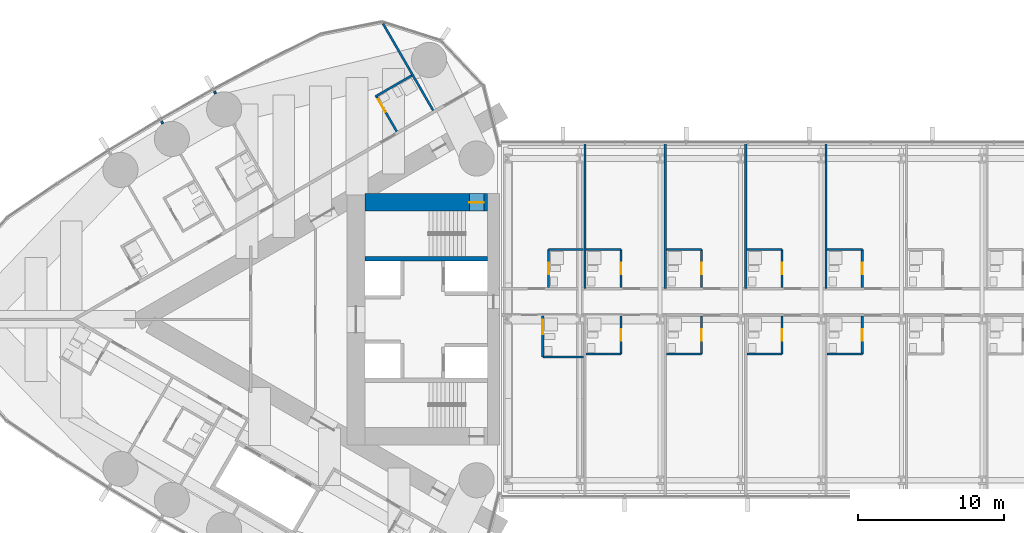
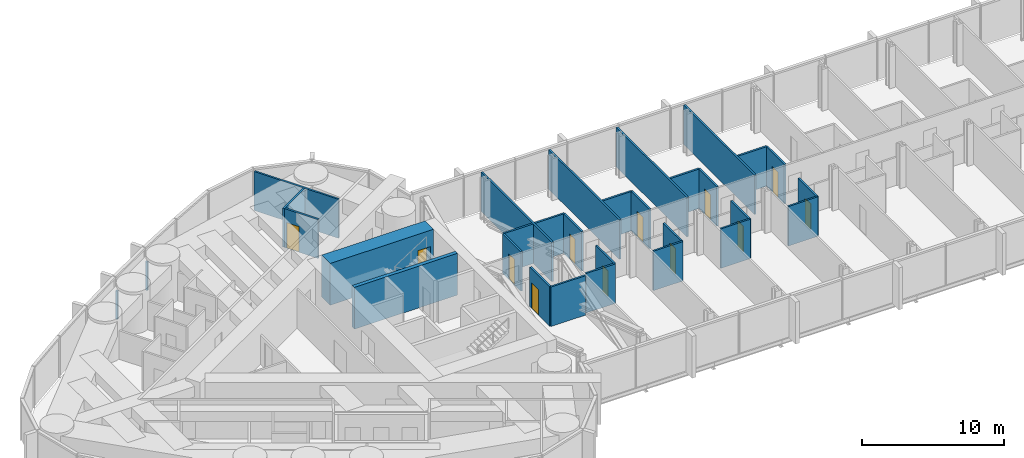
# One storey, part 16 of 23: 31 walls, 12 doors, 12 openings.
"""IFC4 building model written with IfcOpenShell, lengths in metres."""

from ifc_helpers import new_model, si_unit, direction, frame, frame_2d, origin, place, context, subcontext, project, spatial, rectangle, extrude, material, layer, layer_set, type_object, element, fill, save


model = new_model("IFC4")

# Units and contexts
model_context = context("Model", 3, precision=1e-05, world=origin(), true_north=direction((0.0, 1.0)))
body_context = subcontext(model_context, "Body", "Model", "MODEL_VIEW")
ifc_project = project(units=[si_unit("LENGTHUNIT", "METRE"), si_unit("AREAUNIT", "SQUARE_METRE"), si_unit("VOLUMEUNIT", "CUBIC_METRE"), si_unit("PLANEANGLEUNIT", "RADIAN"), si_unit("MASSUNIT", "GRAM", prefix="KILO")], contexts=[model_context])

# Site, building, storey
site_placement = place(None, origin())
site = spatial("IfcSite", under=ifc_project, at=site_placement, CompositionType="ELEMENT")
building_placement = place(site_placement, origin())
building = spatial("IfcBuilding", under=site, at=building_placement, Name="Lancet Gate Hotel", CompositionType="ELEMENT")
storey_placement = place(building_placement, frame((0.0, 0.0, 222.5)))
storey = spatial("IfcBuildingStorey", under=building, at=storey_placement, Name="L59", CompositionType="ELEMENT", Elevation=222.5)

# Wall
ifc_material_1 = material(Name="Moisture resistant board partition")
ifc_layer_1 = layer(ifc_material_1, 0.14990234375)
ifc_layer_set_1 = layer_set([ifc_layer_1], Name="Bathroom wall 150")
wall_type_1 = type_object("IfcWallType", Name="Bathroom wall 150", PredefinedType="PARTITIONING", material=ifc_layer_set_1)
wall_1_placement = place(storey_placement, frame((-33.486572265625, 16.6748046875, 0.0), z_axis=(0.0, 0.0, 1.0), x_axis=(-0.866039941686, -0.499974818771, 0.0)))
element("IfcWall", 1, at=wall_1_placement, inside=storey, type_object=wall_type_1, Name="T1 bathroom wall 150 L59", PredefinedType="PARTITIONING", context=body_context, shape_type="SweptSolid", body=[
    extrude(rectangle(XDim=2.875244140625, YDim=0.14990234375, at=frame_2d((1.4375, 0.0))), origin(), (0.0, 0.0, 1.0), 3.35009765625),
])

# Wall, opening, door
wall_2_placement = place(storey_placement, frame((-34.511474609375, 12.849853515625, 0.0), z_axis=(0.0, 0.0, 1.0), x_axis=(-0.500011755427, 0.866018616679, 0.0)))
wall_2 = element("IfcWall", 2, at=wall_2_placement, inside=storey, type_object=wall_type_1, Name="T1 bathroom wall 150 L59", PredefinedType="PARTITIONING", context=body_context, shape_type="SweptSolid", body=[
    extrude(rectangle(XDim=2.80029296875, YDim=0.14990234375, at=frame_2d((1.400146484375, 0.0))), origin(), (0.0, 0.0, 1.0), 3.35009765625),
])
opening_1_placement = place(wall_2_placement, frame((1.550048828125, 0.0, 0.0)))
opening_1 = element("IfcOpeningElement", 3, at=opening_1_placement, cuts=wall_2, Name="Opening 5902-B", PredefinedType="OPENING", context=body_context, shape_type="SweptSolid", body=[
    extrude(rectangle(XDim=1.0, YDim=2.199951171875, at=frame_2d((0.5, 1.10009765625))), frame((0.0, 0.0849609375, 0.0), z_axis=(0.0, -1.0, 0.0), x_axis=(1.0, 0.0, 0.0)), (0.0, 0.0, 1.0), 0.169921875),
])
ifc_material_2 = material(Name="Timber door set", Category="wood")
door_type_1 = type_object("IfcDoorType", Name="Accessible en-suite door 1000", OperationType="SINGLE_SWING_RIGHT", PredefinedType="DOOR", material=ifc_material_2)
door_1_placement = place(opening_1_placement, origin())
door_1 = element("IfcDoor", 4, at=door_1_placement, inside=storey, type_object=door_type_1, Name="5902-B", OperationType="SINGLE_SWING_RIGHT", OverallHeight=2.199951171875, OverallWidth=1.0, PredefinedType="DOOR", context=body_context, shape_type="SweptSolid", body=[
    extrude(rectangle(XDim=1.0, YDim=2.199951171875, at=frame_2d((0.5, 1.10009765625))), frame((0.0, 0.02490234375, 0.0), z_axis=(0.0, -1.0, 0.0), x_axis=(1.0, 0.0, 0.0)), (0.0, 0.0, 1.0), 0.050048828125),
])
fill(opening_1, door_1)

# Wall
wall_3_placement = place(storey_placement, frame((-24.52490234375, -2.574951171875, 0.0), z_axis=(0.0, 0.0, 1.0), x_axis=(1.0, 0.0, 0.0)))
element("IfcWall", 5, at=wall_3_placement, inside=storey, type_object=wall_type_1, Name="Bridge block bathroom wall 150 L59", PredefinedType="PARTITIONING", context=body_context, shape_type="SweptSolid", body=[
    extrude(rectangle(XDim=2.7998046875, YDim=0.14990234375, at=frame_2d((1.39990234375, 0.0))), origin(), (0.0, 0.0, 1.0), 3.39990234375),
])

# Wall, opening, door
wall_4_placement = place(storey_placement, frame((-24.52490234375, -2.574951171875, 0.0), z_axis=(0.0, 0.0, 1.0), x_axis=(0.0, 1.0, 0.0)))
wall_4 = element("IfcWall", 6, at=wall_4_placement, inside=storey, type_object=wall_type_1, Name="Bridge block bathroom wall 150 L59", PredefinedType="PARTITIONING", context=body_context, shape_type="SweptSolid", body=[
    extrude(rectangle(XDim=2.800048828125, YDim=0.14990234375, at=frame_2d((1.39990234375, 0.0))), origin(), (0.0, 0.0, 1.0), 3.39990234375),
])
opening_2_placement = place(wall_4_placement, frame((1.550048828125, 0.0, 0.0)))
opening_2 = element("IfcOpeningElement", 7, at=opening_2_placement, cuts=wall_4, Name="Opening B5901-B", PredefinedType="OPENING", context=body_context, shape_type="SweptSolid", body=[
    extrude(rectangle(XDim=1.0, YDim=2.199951171875, at=frame_2d((0.5, 1.10009765625))), frame((0.0, 0.0849609375, 0.0), z_axis=(0.0, -1.0, 0.0), x_axis=(1.0, 0.0, 0.0)), (0.0, 0.0, 1.0), 0.169921875),
])
door_2_placement = place(opening_2_placement, origin())
door_2 = element("IfcDoor", 8, at=door_2_placement, inside=storey, type_object=door_type_1, Name="B5901-B", OperationType="SINGLE_SWING_RIGHT", OverallHeight=2.199951171875, OverallWidth=1.0, PredefinedType="DOOR", context=body_context, shape_type="SweptSolid", body=[
    extrude(rectangle(XDim=1.0, YDim=2.199951171875, at=frame_2d((0.5, 1.10009765625))), frame((0.0, 0.02490234375, 0.0), z_axis=(0.0, -1.0, 0.0), x_axis=(1.0, 0.0, 0.0)), (0.0, 0.0, 1.0), 0.050048828125),
])
fill(opening_2, door_2)

# Wall
wall_5_placement = place(storey_placement, frame((-21.574951171875, -2.375, 0.0), z_axis=(0.0, 0.0, 1.0), x_axis=(1.0, 0.0, 0.0)))
element("IfcWall", 9, at=wall_5_placement, inside=storey, type_object=wall_type_1, Name="Bridge block bathroom wall 150 L59", PredefinedType="PARTITIONING", context=body_context, shape_type="SweptSolid", body=[
    extrude(rectangle(XDim=2.39990234375, YDim=0.14990234375, at=frame_2d((1.199951171875, 0.0))), origin(), (0.0, 0.0, 1.0), 3.39990234375),
])

# Wall, opening, door
wall_6_placement = place(storey_placement, frame((-19.175048828125, -2.375, 0.0), z_axis=(0.0, 0.0, 1.0), x_axis=(0.0, 1.0, 0.0)))
wall_6 = element("IfcWall", 10, at=wall_6_placement, inside=storey, type_object=wall_type_1, Name="Bridge block bathroom wall 150 L59", PredefinedType="PARTITIONING", context=body_context, shape_type="SweptSolid", body=[
    extrude(rectangle(XDim=2.60009765625, YDim=0.14990234375, at=frame_2d((1.300048828125, 0.0))), origin(), (0.0, 0.0, 1.0), 3.39990234375),
])
opening_3_placement = place(wall_6_placement, frame((0.89990234375, 0.0, 0.0)))
opening_3 = element("IfcOpeningElement", 11, at=opening_3_placement, cuts=wall_6, Name="Opening B5902-B", PredefinedType="OPENING", context=body_context, shape_type="SweptSolid", body=[
    extrude(rectangle(XDim=0.800048828125, YDim=2.199951171875, at=frame_2d((0.39990234375, 1.10009765625))), frame((0.0, 0.0849609375, 0.0), z_axis=(0.0, -1.0, 0.0), x_axis=(1.0, 0.0, 0.0)), (0.0, 0.0, 1.0), 0.169921875),
])
ifc_material_3 = material(Name="Timber door set", Category="wood")
door_type_2 = type_object("IfcDoorType", Name="Bathroom door 800", OperationType="SINGLE_SWING_RIGHT", PredefinedType="DOOR", material=ifc_material_3)
door_3_placement = place(opening_3_placement, origin())
door_3 = element("IfcDoor", 12, at=door_3_placement, inside=storey, type_object=door_type_2, Name="B5902-B", OperationType="SINGLE_SWING_RIGHT", OverallHeight=2.199951171875, OverallWidth=0.800048828125, PredefinedType="DOOR", context=body_context, shape_type="SweptSolid", body=[
    extrude(rectangle(XDim=0.800048828125, YDim=2.199951171875, at=frame_2d((0.39990234375, 1.10009765625))), frame((0.0, 0.02490234375, 0.0), z_axis=(0.0, -1.0, 0.0), x_axis=(1.0, 0.0, 0.0)), (0.0, 0.0, 1.0), 0.050048828125),
])
fill(opening_3, door_3)

# Wall
wall_7_placement = place(storey_placement, frame((-16.074951171875, -2.375, 0.0), z_axis=(0.0, 0.0, 1.0), x_axis=(1.0, 0.0, 0.0)))
element("IfcWall", 13, at=wall_7_placement, inside=storey, type_object=wall_type_1, Name="Bridge block bathroom wall 150 L59", PredefinedType="PARTITIONING", context=body_context, shape_type="SweptSolid", body=[
    extrude(rectangle(XDim=2.39990234375, YDim=0.14990234375, at=frame_2d((1.199951171875, 0.0))), origin(), (0.0, 0.0, 1.0), 3.39990234375),
])

# Wall, opening, door
wall_8_placement = place(storey_placement, frame((-13.675048828125, -2.375, 0.0), z_axis=(0.0, 0.0, 1.0), x_axis=(0.0, 1.0, 0.0)))
wall_8 = element("IfcWall", 14, at=wall_8_placement, inside=storey, type_object=wall_type_1, Name="Bridge block bathroom wall 150 L59", PredefinedType="PARTITIONING", context=body_context, shape_type="SweptSolid", body=[
    extrude(rectangle(XDim=2.60009765625, YDim=0.14990234375, at=frame_2d((1.300048828125, 0.0))), origin(), (0.0, 0.0, 1.0), 3.39990234375),
])
opening_4_placement = place(wall_8_placement, frame((0.89990234375, 0.0, 0.0)))
opening_4 = element("IfcOpeningElement", 15, at=opening_4_placement, cuts=wall_8, Name="Opening B5903-B", PredefinedType="OPENING", context=body_context, shape_type="SweptSolid", body=[
    extrude(rectangle(XDim=0.800048828125, YDim=2.199951171875, at=frame_2d((0.39990234375, 1.10009765625))), frame((0.0, 0.0849609375, 0.0), z_axis=(0.0, -1.0, 0.0), x_axis=(1.0, 0.0, 0.0)), (0.0, 0.0, 1.0), 0.169921875),
])
door_4_placement = place(opening_4_placement, origin())
door_4 = element("IfcDoor", 16, at=door_4_placement, inside=storey, type_object=door_type_2, Name="B5903-B", OperationType="SINGLE_SWING_RIGHT", OverallHeight=2.199951171875, OverallWidth=0.800048828125, PredefinedType="DOOR", context=body_context, shape_type="SweptSolid", body=[
    extrude(rectangle(XDim=0.800048828125, YDim=2.199951171875, at=frame_2d((0.39990234375, 1.10009765625))), frame((0.0, 0.02490234375, 0.0), z_axis=(0.0, -1.0, 0.0), x_axis=(1.0, 0.0, 0.0)), (0.0, 0.0, 1.0), 0.050048828125),
])
fill(opening_4, door_4)

# Wall
wall_9_placement = place(storey_placement, frame((-10.574951171875, -2.375, 0.0), z_axis=(0.0, 0.0, 1.0), x_axis=(1.0, 0.0, 0.0)))
element("IfcWall", 17, at=wall_9_placement, inside=storey, type_object=wall_type_1, Name="Bridge block bathroom wall 150 L59", PredefinedType="PARTITIONING", context=body_context, shape_type="SweptSolid", body=[
    extrude(rectangle(XDim=2.39990234375, YDim=0.14990234375, at=frame_2d((1.199951171875, 0.0))), origin(), (0.0, 0.0, 1.0), 3.39990234375),
])

# Wall, opening, door
wall_10_placement = place(storey_placement, frame((-8.175048828125, -2.375, 0.0), z_axis=(0.0, 0.0, 1.0), x_axis=(0.0, 1.0, 0.0)))
wall_10 = element("IfcWall", 18, at=wall_10_placement, inside=storey, type_object=wall_type_1, Name="Bridge block bathroom wall 150 L59", PredefinedType="PARTITIONING", context=body_context, shape_type="SweptSolid", body=[
    extrude(rectangle(XDim=2.60009765625, YDim=0.14990234375, at=frame_2d((1.300048828125, 0.0))), origin(), (0.0, 0.0, 1.0), 3.39990234375),
])
opening_5_placement = place(wall_10_placement, frame((0.89990234375, 0.0, 0.0)))
opening_5 = element("IfcOpeningElement", 19, at=opening_5_placement, cuts=wall_10, Name="Opening B5904-B", PredefinedType="OPENING", context=body_context, shape_type="SweptSolid", body=[
    extrude(rectangle(XDim=0.800048828125, YDim=2.199951171875, at=frame_2d((0.39990234375, 1.10009765625))), frame((0.0, 0.0849609375, 0.0), z_axis=(0.0, -1.0, 0.0), x_axis=(1.0, 0.0, 0.0)), (0.0, 0.0, 1.0), 0.169921875),
])
door_5_placement = place(opening_5_placement, origin())
door_5 = element("IfcDoor", 20, at=door_5_placement, inside=storey, type_object=door_type_2, Name="B5904-B", OperationType="SINGLE_SWING_RIGHT", OverallHeight=2.199951171875, OverallWidth=0.800048828125, PredefinedType="DOOR", context=body_context, shape_type="SweptSolid", body=[
    extrude(rectangle(XDim=0.800048828125, YDim=2.199951171875, at=frame_2d((0.39990234375, 1.10009765625))), frame((0.0, 0.02490234375, 0.0), z_axis=(0.0, -1.0, 0.0), x_axis=(1.0, 0.0, 0.0)), (0.0, 0.0, 1.0), 0.050048828125),
])
fill(opening_5, door_5)

# Wall
wall_11_placement = place(storey_placement, frame((-5.074951171875, -2.375, 0.0), z_axis=(0.0, 0.0, 1.0), x_axis=(1.0, 0.0, 0.0)))
element("IfcWall", 21, at=wall_11_placement, inside=storey, type_object=wall_type_1, Name="Bridge block bathroom wall 150 L59", PredefinedType="PARTITIONING", context=body_context, shape_type="SweptSolid", body=[
    extrude(rectangle(XDim=2.39990234375, YDim=0.14990234375, at=frame_2d((1.199951171875, 0.0))), origin(), (0.0, 0.0, 1.0), 3.39990234375),
])

# Wall, opening, door
wall_12_placement = place(storey_placement, frame((-2.675048828125, -2.375, 0.0), z_axis=(0.0, 0.0, 1.0), x_axis=(0.0, 1.0, 0.0)))
wall_12 = element("IfcWall", 22, at=wall_12_placement, inside=storey, type_object=wall_type_1, Name="Bridge block bathroom wall 150 L59", PredefinedType="PARTITIONING", context=body_context, shape_type="SweptSolid", body=[
    extrude(rectangle(XDim=2.60009765625, YDim=0.14990234375, at=frame_2d((1.300048828125, 0.0))), origin(), (0.0, 0.0, 1.0), 3.39990234375),
])
opening_6_placement = place(wall_12_placement, frame((0.89990234375, 0.0, 0.0)))
opening_6 = element("IfcOpeningElement", 23, at=opening_6_placement, cuts=wall_12, Name="Opening B5905-B", PredefinedType="OPENING", context=body_context, shape_type="SweptSolid", body=[
    extrude(rectangle(XDim=0.800048828125, YDim=2.199951171875, at=frame_2d((0.39990234375, 1.10009765625))), frame((0.0, 0.0849609375, 0.0), z_axis=(0.0, -1.0, 0.0), x_axis=(1.0, 0.0, 0.0)), (0.0, 0.0, 1.0), 0.169921875),
])
door_6_placement = place(opening_6_placement, origin())
door_6 = element("IfcDoor", 24, at=door_6_placement, inside=storey, type_object=door_type_2, Name="B5905-B", OperationType="SINGLE_SWING_RIGHT", OverallHeight=2.199951171875, OverallWidth=0.800048828125, PredefinedType="DOOR", context=body_context, shape_type="SweptSolid", body=[
    extrude(rectangle(XDim=0.800048828125, YDim=2.199951171875, at=frame_2d((0.39990234375, 1.10009765625))), frame((0.0, 0.02490234375, 0.0), z_axis=(0.0, -1.0, 0.0), x_axis=(1.0, 0.0, 0.0)), (0.0, 0.0, 1.0), 0.050048828125),
])
fill(opening_6, door_6)

# Wall
wall_13_placement = place(storey_placement, frame((-24.125, 4.77490234375, 0.0), z_axis=(0.0, 0.0, 1.0), x_axis=(1.0, 0.0, 0.0)))
element("IfcWall", 25, at=wall_13_placement, inside=storey, type_object=wall_type_1, Name="Bridge block bathroom wall 150 L59", PredefinedType="PARTITIONING", context=body_context, shape_type="SweptSolid", body=[
    extrude(rectangle(XDim=2.39990234375, YDim=0.14990234375, at=frame_2d((1.199951171875, 0.0))), origin(), (0.0, 0.0, 1.0), 3.39990234375),
])

# Wall, opening, door
wall_14_placement = place(storey_placement, frame((-24.125, 2.175048828125, 0.0), z_axis=(0.0, 0.0, 1.0), x_axis=(0.0, 1.0, 0.0)))
wall_14 = element("IfcWall", 26, at=wall_14_placement, inside=storey, type_object=wall_type_1, Name="Bridge block bathroom wall 150 L59", PredefinedType="PARTITIONING", context=body_context, shape_type="SweptSolid", body=[
    extrude(rectangle(XDim=2.599853515625, YDim=0.14990234375, at=frame_2d((1.2998046875, 0.0))), origin(), (0.0, 0.0, 1.0), 3.39990234375),
])
opening_7_placement = place(wall_14_placement, frame((0.89990234375, 0.0, 0.0)))
opening_7 = element("IfcOpeningElement", 27, at=opening_7_placement, cuts=wall_14, Name="Opening B5911-B", PredefinedType="OPENING", context=body_context, shape_type="SweptSolid", body=[
    extrude(rectangle(XDim=0.800048828125, YDim=2.199951171875, at=frame_2d((0.39990234375, 1.10009765625))), frame((0.0, 0.0849609375, 0.0), z_axis=(0.0, -1.0, 0.0), x_axis=(1.0, 0.0, 0.0)), (0.0, 0.0, 1.0), 0.169921875),
])
door_7_placement = place(opening_7_placement, origin())
door_7 = element("IfcDoor", 28, at=door_7_placement, inside=storey, type_object=door_type_2, Name="B5911-B", OperationType="SINGLE_SWING_RIGHT", OverallHeight=2.199951171875, OverallWidth=0.800048828125, PredefinedType="DOOR", context=body_context, shape_type="SweptSolid", body=[
    extrude(rectangle(XDim=0.800048828125, YDim=2.199951171875, at=frame_2d((0.39990234375, 1.10009765625))), frame((0.0, 0.02490234375, 0.0), z_axis=(0.0, -1.0, 0.0), x_axis=(1.0, 0.0, 0.0)), (0.0, 0.0, 1.0), 0.050048828125),
])
fill(opening_7, door_7)

# Wall
wall_15_placement = place(storey_placement, frame((-21.574951171875, 4.77490234375, 0.0), z_axis=(0.0, 0.0, 1.0), x_axis=(1.0, 0.0, 0.0)))
element("IfcWall", 29, at=wall_15_placement, inside=storey, type_object=wall_type_1, Name="Bridge block bathroom wall 150 L59", PredefinedType="PARTITIONING", context=body_context, shape_type="SweptSolid", body=[
    extrude(rectangle(XDim=2.39990234375, YDim=0.14990234375, at=frame_2d((1.199951171875, 0.0))), origin(), (0.0, 0.0, 1.0), 3.39990234375),
])

# Wall, opening, door
wall_16_placement = place(storey_placement, frame((-19.175048828125, 2.175048828125, 0.0), z_axis=(0.0, 0.0, 1.0), x_axis=(0.0, 1.0, 0.0)))
wall_16 = element("IfcWall", 30, at=wall_16_placement, inside=storey, type_object=wall_type_1, Name="Bridge block bathroom wall 150 L59", PredefinedType="PARTITIONING", context=body_context, shape_type="SweptSolid", body=[
    extrude(rectangle(XDim=2.599853515625, YDim=0.14990234375, at=frame_2d((1.2998046875, 0.0))), origin(), (0.0, 0.0, 1.0), 3.39990234375),
])
opening_8_placement = place(wall_16_placement, frame((0.89990234375, 0.0, 0.0)))
opening_8 = element("IfcOpeningElement", 31, at=opening_8_placement, cuts=wall_16, Name="Opening B5912-B", PredefinedType="OPENING", context=body_context, shape_type="SweptSolid", body=[
    extrude(rectangle(XDim=0.800048828125, YDim=2.199951171875, at=frame_2d((0.39990234375, 1.10009765625))), frame((0.0, 0.0849609375, 0.0), z_axis=(0.0, -1.0, 0.0), x_axis=(1.0, 0.0, 0.0)), (0.0, 0.0, 1.0), 0.169921875),
])
door_8_placement = place(opening_8_placement, origin())
door_8 = element("IfcDoor", 32, at=door_8_placement, inside=storey, type_object=door_type_2, Name="B5912-B", OperationType="SINGLE_SWING_RIGHT", OverallHeight=2.199951171875, OverallWidth=0.800048828125, PredefinedType="DOOR", context=body_context, shape_type="SweptSolid", body=[
    extrude(rectangle(XDim=0.800048828125, YDim=2.199951171875, at=frame_2d((0.39990234375, 1.10009765625))), frame((0.0, 0.02490234375, 0.0), z_axis=(0.0, -1.0, 0.0), x_axis=(1.0, 0.0, 0.0)), (0.0, 0.0, 1.0), 0.050048828125),
])
fill(opening_8, door_8)

# Wall
wall_17_placement = place(storey_placement, frame((-16.074951171875, 4.77490234375, 0.0), z_axis=(0.0, 0.0, 1.0), x_axis=(1.0, 0.0, 0.0)))
element("IfcWall", 33, at=wall_17_placement, inside=storey, type_object=wall_type_1, Name="Bridge block bathroom wall 150 L59", PredefinedType="PARTITIONING", context=body_context, shape_type="SweptSolid", body=[
    extrude(rectangle(XDim=2.39990234375, YDim=0.14990234375, at=frame_2d((1.199951171875, 0.0))), origin(), (0.0, 0.0, 1.0), 3.39990234375),
])

# Wall, opening, door
wall_18_placement = place(storey_placement, frame((-13.675048828125, 2.175048828125, 0.0), z_axis=(0.0, 0.0, 1.0), x_axis=(0.0, 1.0, 0.0)))
wall_18 = element("IfcWall", 34, at=wall_18_placement, inside=storey, type_object=wall_type_1, Name="Bridge block bathroom wall 150 L59", PredefinedType="PARTITIONING", context=body_context, shape_type="SweptSolid", body=[
    extrude(rectangle(XDim=2.599853515625, YDim=0.14990234375, at=frame_2d((1.2998046875, 0.0))), origin(), (0.0, 0.0, 1.0), 3.39990234375),
])
opening_9_placement = place(wall_18_placement, frame((0.89990234375, 0.0, 0.0)))
opening_9 = element("IfcOpeningElement", 35, at=opening_9_placement, cuts=wall_18, Name="Opening B5913-B", PredefinedType="OPENING", context=body_context, shape_type="SweptSolid", body=[
    extrude(rectangle(XDim=0.800048828125, YDim=2.199951171875, at=frame_2d((0.39990234375, 1.10009765625))), frame((0.0, 0.0849609375, 0.0), z_axis=(0.0, -1.0, 0.0), x_axis=(1.0, 0.0, 0.0)), (0.0, 0.0, 1.0), 0.169921875),
])
door_9_placement = place(opening_9_placement, origin())
door_9 = element("IfcDoor", 36, at=door_9_placement, inside=storey, type_object=door_type_2, Name="B5913-B", OperationType="SINGLE_SWING_RIGHT", OverallHeight=2.199951171875, OverallWidth=0.800048828125, PredefinedType="DOOR", context=body_context, shape_type="SweptSolid", body=[
    extrude(rectangle(XDim=0.800048828125, YDim=2.199951171875, at=frame_2d((0.39990234375, 1.10009765625))), frame((0.0, 0.02490234375, 0.0), z_axis=(0.0, -1.0, 0.0), x_axis=(1.0, 0.0, 0.0)), (0.0, 0.0, 1.0), 0.050048828125),
])
fill(opening_9, door_9)

# Wall
wall_19_placement = place(storey_placement, frame((-10.574951171875, 4.77490234375, 0.0), z_axis=(0.0, 0.0, 1.0), x_axis=(1.0, 0.0, 0.0)))
element("IfcWall", 37, at=wall_19_placement, inside=storey, type_object=wall_type_1, Name="Bridge block bathroom wall 150 L59", PredefinedType="PARTITIONING", context=body_context, shape_type="SweptSolid", body=[
    extrude(rectangle(XDim=2.39990234375, YDim=0.14990234375, at=frame_2d((1.199951171875, 0.0))), origin(), (0.0, 0.0, 1.0), 3.39990234375),
])

# Wall, opening, door
wall_20_placement = place(storey_placement, frame((-8.175048828125, 2.175048828125, 0.0), z_axis=(0.0, 0.0, 1.0), x_axis=(0.0, 1.0, 0.0)))
wall_20 = element("IfcWall", 38, at=wall_20_placement, inside=storey, type_object=wall_type_1, Name="Bridge block bathroom wall 150 L59", PredefinedType="PARTITIONING", context=body_context, shape_type="SweptSolid", body=[
    extrude(rectangle(XDim=2.599853515625, YDim=0.14990234375, at=frame_2d((1.2998046875, 0.0))), origin(), (0.0, 0.0, 1.0), 3.39990234375),
])
opening_10_placement = place(wall_20_placement, frame((0.89990234375, 0.0, 0.0)))
opening_10 = element("IfcOpeningElement", 39, at=opening_10_placement, cuts=wall_20, Name="Opening B5914-B", PredefinedType="OPENING", context=body_context, shape_type="SweptSolid", body=[
    extrude(rectangle(XDim=0.800048828125, YDim=2.199951171875, at=frame_2d((0.39990234375, 1.10009765625))), frame((0.0, 0.0849609375, 0.0), z_axis=(0.0, -1.0, 0.0), x_axis=(1.0, 0.0, 0.0)), (0.0, 0.0, 1.0), 0.169921875),
])
door_10_placement = place(opening_10_placement, origin())
door_10 = element("IfcDoor", 40, at=door_10_placement, inside=storey, type_object=door_type_2, Name="B5914-B", OperationType="SINGLE_SWING_RIGHT", OverallHeight=2.199951171875, OverallWidth=0.800048828125, PredefinedType="DOOR", context=body_context, shape_type="SweptSolid", body=[
    extrude(rectangle(XDim=0.800048828125, YDim=2.199951171875, at=frame_2d((0.39990234375, 1.10009765625))), frame((0.0, 0.02490234375, 0.0), z_axis=(0.0, -1.0, 0.0), x_axis=(1.0, 0.0, 0.0)), (0.0, 0.0, 1.0), 0.050048828125),
])
fill(opening_10, door_10)

# Wall
wall_21_placement = place(storey_placement, frame((-5.074951171875, 4.77490234375, 0.0), z_axis=(0.0, 0.0, 1.0), x_axis=(1.0, 0.0, 0.0)))
element("IfcWall", 41, at=wall_21_placement, inside=storey, type_object=wall_type_1, Name="Bridge block bathroom wall 150 L59", PredefinedType="PARTITIONING", context=body_context, shape_type="SweptSolid", body=[
    extrude(rectangle(XDim=2.39990234375, YDim=0.14990234375, at=frame_2d((1.199951171875, 0.0))), origin(), (0.0, 0.0, 1.0), 3.39990234375),
])

# Wall, opening, door
wall_22_placement = place(storey_placement, frame((-2.675048828125, 2.175048828125, 0.0), z_axis=(0.0, 0.0, 1.0), x_axis=(0.0, 1.0, 0.0)))
wall_22 = element("IfcWall", 42, at=wall_22_placement, inside=storey, type_object=wall_type_1, Name="Bridge block bathroom wall 150 L59", PredefinedType="PARTITIONING", context=body_context, shape_type="SweptSolid", body=[
    extrude(rectangle(XDim=2.599853515625, YDim=0.14990234375, at=frame_2d((1.2998046875, 0.0))), origin(), (0.0, 0.0, 1.0), 3.39990234375),
])
opening_11_placement = place(wall_22_placement, frame((0.89990234375, 0.0, 0.0)))
opening_11 = element("IfcOpeningElement", 43, at=opening_11_placement, cuts=wall_22, Name="Opening B5915-B", PredefinedType="OPENING", context=body_context, shape_type="SweptSolid", body=[
    extrude(rectangle(XDim=0.800048828125, YDim=2.199951171875, at=frame_2d((0.39990234375, 1.10009765625))), frame((0.0, 0.0849609375, 0.0), z_axis=(0.0, -1.0, 0.0), x_axis=(1.0, 0.0, 0.0)), (0.0, 0.0, 1.0), 0.169921875),
])
door_11_placement = place(opening_11_placement, origin())
door_11 = element("IfcDoor", 44, at=door_11_placement, inside=storey, type_object=door_type_2, Name="B5915-B", OperationType="SINGLE_SWING_RIGHT", OverallHeight=2.199951171875, OverallWidth=0.800048828125, PredefinedType="DOOR", context=body_context, shape_type="SweptSolid", body=[
    extrude(rectangle(XDim=0.800048828125, YDim=2.199951171875, at=frame_2d((0.39990234375, 1.10009765625))), frame((0.0, 0.02490234375, 0.0), z_axis=(0.0, -1.0, 0.0), x_axis=(1.0, 0.0, 0.0)), (0.0, 0.0, 1.0), 0.050048828125),
])
fill(opening_11, door_11)

ifc_material_4 = material(Name="Concrete C70/85", Category="concrete")
ifc_layer_2 = layer(ifc_material_4, 1.199951171875)
ifc_layer_set_2 = layer_set([ifc_layer_2], Name="Core wall 1200")
wall_type_2 = type_object("IfcWallType", Name="Core wall 1200", PredefinedType="SHEAR", material=ifc_layer_set_2)
wall_23_placement = place(storey_placement, frame((-28.300048828125, 8.0, 0.0), z_axis=(0.0, 0.0, 1.0), x_axis=(-1.0, 0.0, 0.0)))
wall_23 = element("IfcWall", 45, at=wall_23_placement, inside=storey, type_object=wall_type_2, Name="T1 core wall side-S L59", PredefinedType="SHEAR", context=body_context, shape_type="SweptSolid", body=[
    extrude(rectangle(XDim=8.39990234375, YDim=1.199951171875, at=frame_2d((4.199951171875, 0.0))), origin(), (0.0, 0.0, 1.0), 3.60009765625),
])
opening_12_placement = place(wall_23_placement, frame((0.25, 0.0, 0.0)))
opening_12 = element("IfcOpeningElement", 46, at=opening_12_placement, cuts=wall_23, Name="Opening T1-L59-ST1", PredefinedType="OPENING", context=body_context, shape_type="SweptSolid", body=[
    extrude(rectangle(XDim=1.0, YDim=2.199951171875, at=frame_2d((0.5, 1.10009765625))), frame((0.0, 0.60986328125, 0.0), z_axis=(0.0, -1.0, 0.0), x_axis=(1.0, 0.0, 0.0)), (0.0, 0.0, 1.0), 1.219970703125),
])
ifc_material_5 = material(Name="Timber door set", Category="wood")
door_type_3 = type_object("IfcDoorType", Name="Stair door 1000", OperationType="SINGLE_SWING_RIGHT", PredefinedType="DOOR", material=ifc_material_5)
door_12_placement = place(opening_12_placement, origin())
door_12 = element("IfcDoor", 47, at=door_12_placement, inside=storey, type_object=door_type_3, Name="T1-L59-ST1", OperationType="SINGLE_SWING_RIGHT", OverallHeight=2.199951171875, OverallWidth=1.0, PredefinedType="DOOR", context=body_context, shape_type="SweptSolid", body=[
    extrude(rectangle(XDim=1.0, YDim=2.199951171875, at=frame_2d((0.5, 1.10009765625))), frame((0.0, 0.02490234375, 0.0), z_axis=(0.0, -1.0, 0.0), x_axis=(1.0, 0.0, 0.0)), (0.0, 0.0, 1.0), 0.050048828125),
])
fill(opening_12, door_12)

# Walls
ifc_material_6 = material(Name="Gypsum board partition")
ifc_layer_3 = layer(ifc_material_6, 0.14990234375)
ifc_layer_set_3 = layer_set([ifc_layer_3], Name="Party wall 150")
wall_type_3 = type_object("IfcWallType", Name="Party wall 150", PredefinedType="PARTITIONING", material=ifc_layer_set_3)
wall_24_placement = place(storey_placement, frame((-32.021728515625, 14.287353515625, 0.0), z_axis=(0.0, 0.0, 1.0), x_axis=(-0.50000019414, 0.866025291697, 0.0)))
element("IfcWall", 48, at=wall_24_placement, inside=storey, type_object=wall_type_3, Name="T1 party wall 150 L59", PredefinedType="PARTITIONING", context=body_context, shape_type="SweptSolid", body=[
    extrude(rectangle(XDim=6.84814453125, YDim=0.14990234375, at=frame_2d((3.424072265625, 0.0))), origin(), (0.0, 0.0, 1.0), 3.35009765625),
])
wall_25_placement = place(storey_placement, frame((-46.89794921875, 15.438720703125, 0.0), z_axis=(0.0, 0.0, 1.0), x_axis=(-0.500232303069, 0.865891241997, 0.0)))
element("IfcWall", 49, at=wall_25_placement, inside=storey, type_object=wall_type_3, Name="T1 party wall 150 L59", PredefinedType="PARTITIONING", context=body_context, shape_type="SweptSolid", body=[
    extrude(rectangle(XDim=0.1796875, YDim=0.14990234375, at=frame_2d((0.08984375, 0.0))), origin(), (0.0, 0.0, 1.0), 2.449951171875),
])
wall_26_placement = place(storey_placement, frame((-50.507568359375, 13.392333984375, 0.0), z_axis=(0.0, 0.0, 1.0), x_axis=(-0.499644091975, 0.866230789891, 0.0)))
element("IfcWall", 50, at=wall_26_placement, inside=storey, type_object=wall_type_3, Name="T1 party wall 150 L59", PredefinedType="PARTITIONING", context=body_context, shape_type="SweptSolid", body=[
    extrude(rectangle(XDim=0.179931640625, YDim=0.14990234375, at=frame_2d((0.08984375, 0.0))), origin(), (0.0, 0.0, 1.0), 2.449951171875),
])
for number, where, z_axis, x_axis, name in (
    (51, (-21.64990234375, 2.10009765625, 0.0), (0.0, 0.0, 1.0), (0.0, 1.0, 0.0), "Bridge block party wall 150 L59"),
    (52, (-16.14990234375, 2.10009765625, 0.0), (0.0, 0.0, 1.0), (0.0, 1.0, 0.0), "Bridge block party wall 150 L59"),
    (53, (-10.64990234375, 2.10009765625, 0.0), (0.0, 0.0, 1.0), (0.0, 1.0, 0.0), "Bridge block party wall 150 L59"),
    (54, (-5.14990234375, 2.10009765625, 0.0), (0.0, 0.0, 1.0), (0.0, 1.0, 0.0), "Bridge block party wall 150 L59"),
):
    element("IfcWall", number, at=place(storey_placement, frame(where, z_axis=z_axis, x_axis=x_axis)), inside=storey, type_object=wall_type_3, Name=name, PredefinedType="PARTITIONING", context=body_context, shape_type="SweptSolid", body=[
        extrude(rectangle(XDim=9.969970703125, YDim=0.14990234375, at=frame_2d((4.98486328125, 0.0))), origin(), (0.0, 0.0, 1.0), 3.39990234375),
    ])
ifc_material_7 = material(Name="Concrete C50/60", Category="concrete")
ifc_layer_4 = layer(ifc_material_7, 0.300048828125)
ifc_layer_set_4 = layer_set([ifc_layer_4], Name="Stair enclosure wall 300")
wall_type_4 = type_object("IfcWallType", Name="Stair enclosure wall 300", PredefinedType="SHEAR", material=ifc_layer_set_4)
wall_27_placement = place(storey_placement, frame((-28.300048828125, 4.14990234375, 0.0), z_axis=(0.0, 0.0, 1.0), x_axis=(-1.0, 0.0, 0.0)))
element("IfcWall", 55, at=wall_27_placement, inside=storey, type_object=wall_type_4, Name="T1 core wall stair-S L59", PredefinedType="SHEAR", context=body_context, shape_type="SweptSolid", body=[
    extrude(rectangle(XDim=8.39990234375, YDim=0.300048828125, at=frame_2d((4.199951171875, 0.0))), origin(), (0.0, 0.0, 1.0), 3.60009765625),
])

save(model, "model.ifc")
